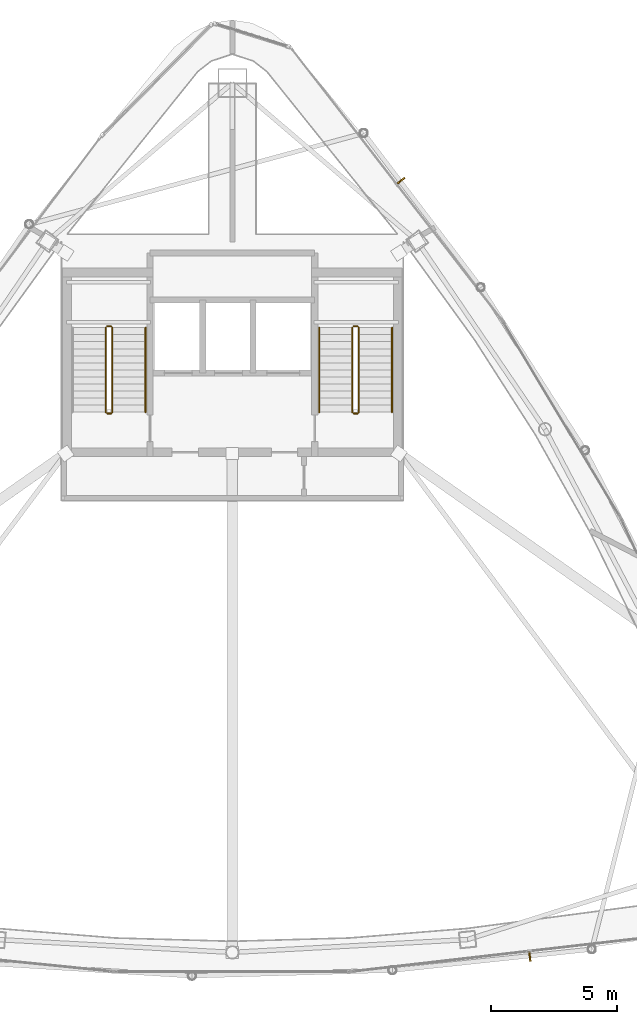
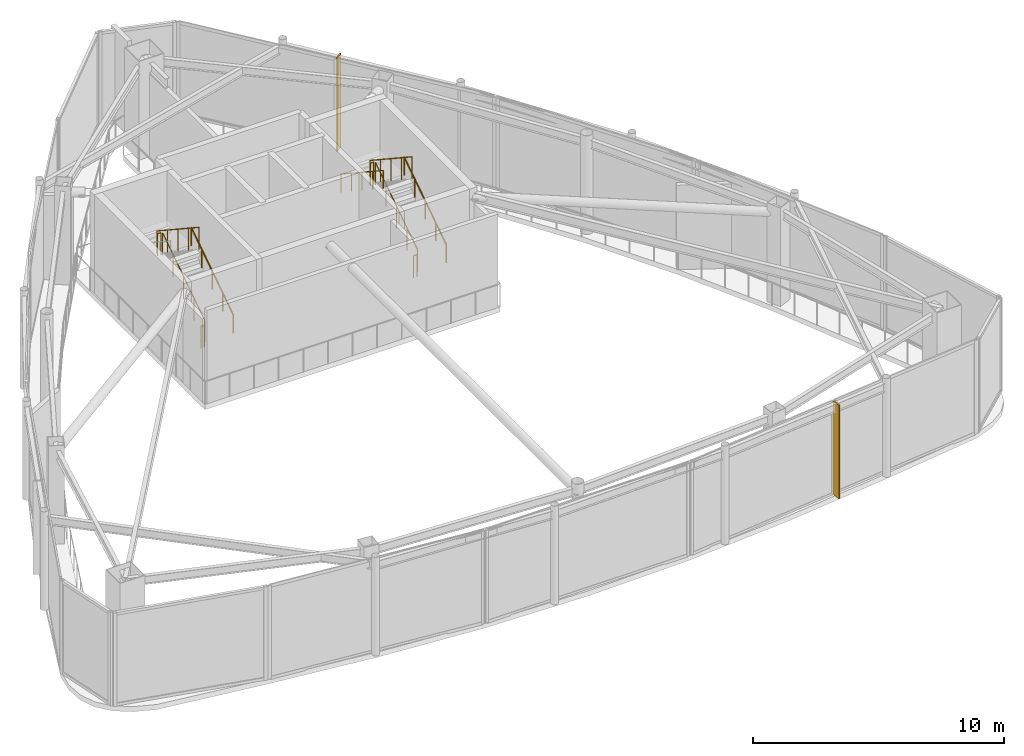
# One storey, part 19 of 20: 11 railings, 2 shading devices.
"""IFC4 building model written with IfcOpenShell, lengths in metres."""

import ifcopenshell
import ifcopenshell.guid

model = None  # the IFC model being written
_history = None  # IfcOwnerHistory: only IFC2X3 demands one
_inside = {}  # id of a spatial element -> (the spatial element, [elements in it])
_under = {}  # id of a project, library or spatial element -> (it, [spatial elements below it])
_declared = {}  # id of a project -> (the project, [libraries it declares])
_typed = {}  # id of a type object -> (the type object, [elements of that type])
_made_of = {}  # id of a material, layer set ... -> (it, [elements and type objects made of it])


def new_model(schema):
    """Start an empty IFC model of exactly this schema.

    Asked for "IFC4X3", IfcOpenShell would pick the latest addendum, in which some entities
    have other attributes; the version numbers below select the first issue.
    IFC2X3 requires an IfcOwnerHistory on every rooted entity: one is made here for all.
    """
    global model, _history
    if schema == "IFC4X3":
        model = ifcopenshell.file(schema_version=(4, 3, 0, 0))
    else:
        model = ifcopenshell.file(schema=schema)
    _inside.clear()
    _under.clear()
    _declared.clear()
    _typed.clear()
    _made_of.clear()
    _history = None
    if model.schema == "IFC2X3":
        org = make("IfcOrganization", Name="unknown")
        user = make(
            "IfcPersonAndOrganization",
            ThePerson=make("IfcPerson", FamilyName="unknown"),
            TheOrganization=org,
        )
        app = make(
            "IfcApplication",
            ApplicationDeveloper=org,
            Version="unknown",
            ApplicationFullName="unknown",
            ApplicationIdentifier="unknown",
        )
        _history = make(
            "IfcOwnerHistory",
            OwningUser=user,
            OwningApplication=app,
            ChangeAction="ADDED",
            CreationDate=0,
        )
    return model


def make(cls, **values):
    """One entity of the class cls with the attributes given. An attribute that is None is left unset."""
    return model.create_entity(
        cls, **{name: value for name, value in values.items() if value is not None}
    )


def rooted(cls, **values):
    """An entity with a GlobalId (a new one), such as an element, a storey or a relation."""
    return make(cls, GlobalId=ifcopenshell.guid.new(), OwnerHistory=_history, **values)


def si_unit(unit_type, name, prefix=None):
    """IfcSIUnit, for example si_unit("LENGTHUNIT", "METRE", prefix="MILLI")."""
    return make("IfcSIUnit", UnitType=unit_type, Prefix=prefix, Name=name)


def assignment(units):
    """IfcUnitAssignment: the units of a project."""
    return None if units is None else make("IfcUnitAssignment", Units=units)


def point(xyz):
    """IfcCartesianPoint."""
    return None if xyz is None else make("IfcCartesianPoint", Coordinates=xyz)


def direction(xyz):
    """IfcDirection."""
    return None if xyz is None else make("IfcDirection", DirectionRatios=xyz)


def frame(location, z_axis=None, x_axis=None):
    """IfcAxis2Placement3D, a coordinate frame: its origin and axes. An axis left out is left unset."""
    return make(
        "IfcAxis2Placement3D",
        Location=point(location),
        Axis=direction(z_axis),
        RefDirection=direction(x_axis),
    )


def frame_2d(location, x_axis=None):
    """IfcAxis2Placement2D, a coordinate frame in the plane: its origin and x axis."""
    return make(
        "IfcAxis2Placement2D", Location=point(location), RefDirection=direction(x_axis)
    )


def origin():
    """The frame at (0, 0, 0) with its axes left unset."""
    return frame((0.0, 0.0, 0.0))


def origin_2d():
    """The frame at (0, 0) in the plane with its x axis left unset."""
    return frame_2d((0.0, 0.0))


def place(relative_to, where):
    """IfcLocalPlacement: puts the frame where relative to a parent placement (None: the world)."""
    return make(
        "IfcLocalPlacement", PlacementRelTo=relative_to, RelativePlacement=where
    )


def context(
    kind, dimensions, precision=None, world=None, true_north=None, identifier=None
):
    """IfcGeometricRepresentationContext, for example the 3D "Model" context."""
    return make(
        "IfcGeometricRepresentationContext",
        ContextIdentifier=identifier,
        ContextType=kind,
        CoordinateSpaceDimension=dimensions,
        Precision=precision,
        WorldCoordinateSystem=world,
        TrueNorth=true_north,
    )


def subcontext(parent, identifier, kind, view, scale=None):
    """IfcGeometricRepresentationSubContext, for example "Body" below "Model"."""
    return make(
        "IfcGeometricRepresentationSubContext",
        ContextIdentifier=identifier,
        ContextType=kind,
        ParentContext=parent,
        TargetScale=scale,
        TargetView=view,
    )


def project(units=None, contexts=None):
    """IfcProject with its units and contexts."""
    return rooted(
        "IfcProject",
        Name="project",
        RepresentationContexts=contexts,
        UnitsInContext=assignment(units),
    )


def spatial(cls, under=None, at=None, **own):
    """A site, building, storey or space (cls), placed at a placement, below another one or the project."""
    s = rooted(cls, ObjectPlacement=at, **own)
    if under is not None:
        _under.setdefault(under.id(), (under, []))[1].append(s)
    return s


def profile(cls, at=None, kind="AREA", **sizes):
    """A parametric profile (cls). Its sizes go by their IFC names, for example OverallWidth=200.0."""
    return make(cls, ProfileType=kind, Position=at, **sizes)


def rectangle(**sizes):
    """IfcRectangleProfileDef."""
    return profile("IfcRectangleProfileDef", **sizes)


def circle(**sizes):
    """IfcCircleProfileDef."""
    return profile("IfcCircleProfileDef", **sizes)


def extrude(swept, where, along, depth):
    """IfcExtrudedAreaSolid: the profile swept, set in the frame where, extruded along a direction by depth."""
    return make(
        "IfcExtrudedAreaSolid",
        SweptArea=swept,
        Position=where,
        ExtrudedDirection=direction(along),
        Depth=depth,
    )


def shape(context_of_items, identifier, shape_type, items):
    """IfcShapeRepresentation: the items that make up one representation, for example the "Body"."""
    return make(
        "IfcShapeRepresentation",
        ContextOfItems=context_of_items,
        RepresentationIdentifier=identifier,
        RepresentationType=shape_type,
        Items=items,
    )


def material(Name=None, Category=None):
    """IfcMaterial."""
    return make("IfcMaterial", Name=Name, Category=Category)


def layer(
    of_material, thickness, ventilated=None, Name=None, Category=None, Priority=None
):
    """IfcMaterialLayer: one layer of a wall or slab, of a material (None: an air gap)."""
    return make(
        "IfcMaterialLayer",
        Material=of_material,
        LayerThickness=thickness,
        IsVentilated=ventilated,
        Name=Name,
        Category=Category,
        Priority=Priority,
    )


def layer_set(layers, Name=None):
    """IfcMaterialLayerSet."""
    return make("IfcMaterialLayerSet", MaterialLayers=layers, LayerSetName=Name)


def made_of(thing, what):
    """Note that an element or type object is made of a material, layer set ...; save() writes the relation."""
    if what is not None:
        _made_of.setdefault(what.id(), (what, []))[1].append(thing)
    return thing


def type_object(cls, material=None, **own):
    """A type object (cls), such as IfcWallType, which elements share."""
    return made_of(rooted(cls, **own), material)


def element(
    cls,
    number,
    at=None,
    inside=None,
    cuts=None,
    type_object=None,
    material=None,
    context=None,
    identifier="Body",
    shape_type=None,
    held_by="IfcProductDefinitionShape",
    body=None,
    shapes=None,
    **own,
):
    """One element of the class cls, such as IfcWall. Its Tag is "e" and its number.

    at: its placement. inside: the storey or other place that contains it. cuts: it is an
    opening in that element (IfcRelVoidsElement). A single representation is given by context,
    identifier, shape_type and body (its items); several are given by shapes. held_by: the class
    of the entity that holds the representations. save() writes the other relations.
    """
    e = rooted(cls, Tag="e%d" % number, ObjectPlacement=at, **own)
    if body is not None:
        shapes = [shape(context, identifier, shape_type, body)]
    if shapes is not None:
        e.Representation = make(held_by, Representations=shapes)
    if inside is not None:
        _inside.setdefault(inside.id(), (inside, []))[1].append(e)
    if cuts is not None:
        rooted(
            "IfcRelVoidsElement", RelatingBuildingElement=cuts, RelatedOpeningElement=e
        )
    if type_object is not None:
        _typed.setdefault(type_object.id(), (type_object, []))[1].append(e)
    return made_of(e, material)


def aggregate(whole, parts):
    """IfcRelAggregates: a whole, such as a stair, and the parts it consists of."""
    return rooted("IfcRelAggregates", RelatingObject=whole, RelatedObjects=parts)


def save(model, path):
    """Write the relations noted so far, then the file.

    IfcRelAggregates (storeys below a building ...), IfcRelContainedInSpatialStructure (elements
    in a storey), IfcRelDefinesByType, IfcRelAssociatesMaterial and IfcRelDeclares: one each for
    every whole, place, type object, material and project.
    """
    for whole, parts in _under.values():
        aggregate(whole, parts)
    for where, things in _inside.values():
        rooted(
            "IfcRelContainedInSpatialStructure",
            RelatedElements=things,
            RelatingStructure=where,
        )
    for kind, things in _typed.values():
        rooted("IfcRelDefinesByType", RelatedObjects=things, RelatingType=kind)
    for what, things in _made_of.values():
        rooted("IfcRelAssociatesMaterial", RelatedObjects=things, RelatingMaterial=what)
    for by, libraries in _declared.values():
        rooted("IfcRelDeclares", RelatingContext=by, RelatedDefinitions=libraries)
    model.write(path)


model = new_model("IFC4")

# Units and contexts
model_context = context("Model", 3, precision=1e-05, world=origin(), true_north=direction((0.0, 1.0)))
body_context = subcontext(model_context, "Body", "Model", "MODEL_VIEW")
ifc_project = project(units=[si_unit("LENGTHUNIT", "METRE"), si_unit("AREAUNIT", "SQUARE_METRE"), si_unit("VOLUMEUNIT", "CUBIC_METRE"), si_unit("PLANEANGLEUNIT", "RADIAN"), si_unit("MASSUNIT", "GRAM", prefix="KILO")], contexts=[model_context])

# Site, building, storey
site_placement = place(None, origin())
site = spatial("IfcSite", under=ifc_project, at=site_placement, CompositionType="ELEMENT")
building_placement = place(site_placement, origin())
building = spatial("IfcBuilding", under=site, at=building_placement, Name="Orvanel Arch Residences", CompositionType="ELEMENT")
storey_placement = place(building_placement, frame((0.0, 0.0, 305.300048828125)))
storey = spatial("IfcBuildingStorey", under=building, at=storey_placement, Name="L85", CompositionType="ELEMENT", Elevation=305.300048828125)

# Shading devices
ifc_material_1 = material(Name="Bronze-anodised aluminium AA6063-T6", Category="aluminium")
ifc_layer = layer(ifc_material_1, 0.06005859375)
ifc_layer_set = layer_set([ifc_layer], Name="Bronze-anodised aluminium AA6063-T6")
shading_device_type = type_object("IfcShadingDeviceType", Name="FIN-BRZ-380", PredefinedType="USERDEFINED", material=ifc_layer_set)
for number, where, z_axis, x_axis, name in (
    (1, (44.826904296875, 6.674072265625, 0.0), (0.0, 0.0, 1.0), (0.114937150493, -0.9933727656, 0.0), "L85 Anodised Bronze Mullion FIN 01"),
    (2, (39.702880859375, 37.51904296875, 0.0), (0.0, 0.0, 1.0), (0.790155012376, 0.612907053653, 0.0), "L85 Anodised Bronze Mullion FIN 01"),
):
    element("IfcShadingDevice", number, at=place(storey_placement, frame(where, z_axis=z_axis, x_axis=x_axis)), inside=storey, type_object=shading_device_type, Name=name, ObjectType="FIN", PredefinedType="USERDEFINED", context=body_context, shape_type="SweptSolid", body=[
        extrude(rectangle(XDim=0.3798828125, YDim=0.06005859375, at=origin_2d()), origin(), (0.0, 0.0, 1.0), 4.550048828125),
    ])

# Railings
ifc_material_2 = material(Name="Structural steel AS/NZS 1163 C350L0 (Grade 350)", Category="steel")
railing_type_1 = type_object("IfcRailingType", Name="RL-STAIR-GUARD", PredefinedType="GUARDRAIL", material=ifc_material_2)
railing_1_placement = place(storey_placement, frame((28.22998046875, 28.320068359375, 0.1845703125)))
element("IfcRailing", 3, at=railing_1_placement, inside=storey, type_object=railing_type_1, Name="L85 ST-1 stair guard 1", PredefinedType="GUARDRAIL", context=body_context, shape_type="SweptSolid", body=[
    extrude(circle(Radius=0.02392578125, at=origin_2d()), frame((0.0, 0.001220703125, 1.076904296875), z_axis=(0.0, 0.834858096282, 0.550465220583), x_axis=(-1.0, 0.0, 0.0)), (0.0, 0.0, 1.0), 4.021484375),
    extrude(circle(Radius=0.02099609375, at=origin_2d()), origin(), (0.0, 0.0, 1.0), 1.050048828125),
    extrude(circle(Radius=0.02099609375, at=origin_2d()), frame((0.0, 0.83984375, 0.5537109375)), (0.0, 0.0, 1.0), 1.050048828125),
    extrude(circle(Radius=0.02099609375, at=origin_2d()), frame((0.0, 1.679931640625, 1.107666015625)), (0.0, 0.0, 1.0), 1.050048828125),
    extrude(circle(Radius=0.02099609375, at=origin_2d()), frame((0.0, 2.52001953125, 1.66162109375)), (0.0, 0.0, 1.0), 1.050048828125),
    extrude(circle(Radius=0.02099609375, at=origin_2d()), frame((0.0, 3.35986328125, 2.21533203125)), (0.0, 0.0, 1.0), 1.050048828125),
])
railing_2_placement = place(storey_placement, frame((28.179931640625, 31.72998046875, 2.39990234375)))
element("IfcRailing", 4, at=railing_2_placement, inside=storey, type_object=railing_type_1, Name="L85 ST-1 stair guard 2", PredefinedType="GUARDRAIL", context=body_context, shape_type="SweptSolid", body=[
    extrude(circle(Radius=0.02392578125, at=origin_2d()), frame((-0.00146484375, 0.0, 1.076171875), z_axis=(-1.0, 0.0, 0.0), x_axis=(0.0, -1.0, 0.0)), (0.0, 0.0, 1.0), 0.156982421875),
    extrude(circle(Radius=0.02099609375, at=origin_2d()), origin(), (0.0, 0.0, 1.0), 1.050048828125),
    extrude(circle(Radius=0.02099609375, at=origin_2d()), frame((-0.159912109375, 0.0, 0.0)), (0.0, 0.0, 1.0), 1.050048828125),
])
railing_3_placement = place(storey_placement, frame((27.969970703125, 31.679931640625, 2.58447265625)))
element("IfcRailing", 5, at=railing_3_placement, inside=storey, type_object=railing_type_1, Name="L85 ST-1 stair guard 3", PredefinedType="GUARDRAIL", context=body_context, shape_type="SweptSolid", body=[
    extrude(circle(Radius=0.02392578125, at=origin_2d()), frame((0.0, -0.001220703125, 1.076904296875), z_axis=(0.0, -0.83483021737, 0.550507500554), x_axis=(1.0, 0.0, 0.0)), (0.0, 0.0, 1.0), 4.021728515625),
    extrude(circle(Radius=0.02099609375, at=origin_2d()), origin(), (0.0, 0.0, 1.0), 1.050048828125),
    extrude(circle(Radius=0.02099609375, at=origin_2d()), frame((0.0, -0.83984375, 0.553955078125)), (0.0, 0.0, 1.0), 1.050048828125),
    extrude(circle(Radius=0.02099609375, at=origin_2d()), frame((0.0, -1.679931640625, 1.10791015625)), (0.0, 0.0, 1.0), 1.050048828125),
    extrude(circle(Radius=0.02099609375, at=origin_2d()), frame((0.0, -2.52001953125, 1.66162109375)), (0.0, 0.0, 1.0), 1.050048828125),
    extrude(circle(Radius=0.02099609375, at=origin_2d()), frame((0.0, -3.35986328125, 2.215576171875)), (0.0, 0.0, 1.0), 1.050048828125),
])
railing_4_placement = place(storey_placement, frame((28.179931640625, 28.27001953125, 0.0)))
element("IfcRailing", 6, at=railing_4_placement, inside=storey, type_object=railing_type_1, Name="L85 ST-1 stair guard 4", PredefinedType="GUARDRAIL", context=body_context, shape_type="SweptSolid", body=[
    extrude(circle(Radius=0.02392578125, at=origin_2d()), frame((-0.00146484375, 0.0, 1.076171875), z_axis=(-1.0, 0.0, 0.0), x_axis=(0.0, -1.0, 0.0)), (0.0, 0.0, 1.0), 0.156982421875),
    extrude(circle(Radius=0.02099609375, at=origin_2d()), origin(), (0.0, 0.0, 1.0), 1.050048828125),
    extrude(circle(Radius=0.02099609375, at=origin_2d()), frame((-0.159912109375, 0.0, 0.0)), (0.0, 0.0, 1.0), 1.050048828125),
])
railing_5_placement = place(storey_placement, frame((38.030029296875, 28.320068359375, 0.1845703125)))
element("IfcRailing", 7, at=railing_5_placement, inside=storey, type_object=railing_type_1, Name="L85 ST-2 stair guard 1", PredefinedType="GUARDRAIL", context=body_context, shape_type="SweptSolid", body=[
    extrude(circle(Radius=0.02392578125, at=origin_2d()), frame((0.0, 0.001220703125, 1.076904296875), z_axis=(0.0, 0.834858096282, 0.550465220583), x_axis=(-1.0, 0.0, 0.0)), (0.0, 0.0, 1.0), 4.021484375),
    extrude(circle(Radius=0.02099609375, at=origin_2d()), origin(), (0.0, 0.0, 1.0), 1.050048828125),
    extrude(circle(Radius=0.02099609375, at=origin_2d()), frame((0.0, 0.83984375, 0.5537109375)), (0.0, 0.0, 1.0), 1.050048828125),
    extrude(circle(Radius=0.02099609375, at=origin_2d()), frame((0.0, 1.679931640625, 1.107666015625)), (0.0, 0.0, 1.0), 1.050048828125),
    extrude(circle(Radius=0.02099609375, at=origin_2d()), frame((0.0, 2.52001953125, 1.66162109375)), (0.0, 0.0, 1.0), 1.050048828125),
    extrude(circle(Radius=0.02099609375, at=origin_2d()), frame((0.0, 3.35986328125, 2.21533203125)), (0.0, 0.0, 1.0), 1.050048828125),
])
railing_6_placement = place(storey_placement, frame((37.97998046875, 31.72998046875, 2.39990234375)))
element("IfcRailing", 8, at=railing_6_placement, inside=storey, type_object=railing_type_1, Name="L85 ST-2 stair guard 2", PredefinedType="GUARDRAIL", context=body_context, shape_type="SweptSolid", body=[
    extrude(circle(Radius=0.02392578125, at=origin_2d()), frame((-0.00146484375, 0.0, 1.076171875), z_axis=(-1.0, 0.0, 0.0), x_axis=(0.0, -1.0, 0.0)), (0.0, 0.0, 1.0), 0.156982421875),
    extrude(circle(Radius=0.02099609375, at=origin_2d()), origin(), (0.0, 0.0, 1.0), 1.050048828125),
    extrude(circle(Radius=0.02099609375, at=origin_2d()), frame((-0.159912109375, 0.0, 0.0)), (0.0, 0.0, 1.0), 1.050048828125),
])
railing_7_placement = place(storey_placement, frame((37.77001953125, 31.679931640625, 2.58447265625)))
element("IfcRailing", 9, at=railing_7_placement, inside=storey, type_object=railing_type_1, Name="L85 ST-2 stair guard 3", PredefinedType="GUARDRAIL", context=body_context, shape_type="SweptSolid", body=[
    extrude(circle(Radius=0.02392578125, at=origin_2d()), frame((0.0, -0.001220703125, 1.076904296875), z_axis=(0.0, -0.83483021737, 0.550507500554), x_axis=(1.0, 0.0, 0.0)), (0.0, 0.0, 1.0), 4.021728515625),
    extrude(circle(Radius=0.02099609375, at=origin_2d()), origin(), (0.0, 0.0, 1.0), 1.050048828125),
    extrude(circle(Radius=0.02099609375, at=origin_2d()), frame((0.0, -0.83984375, 0.553955078125)), (0.0, 0.0, 1.0), 1.050048828125),
    extrude(circle(Radius=0.02099609375, at=origin_2d()), frame((0.0, -1.679931640625, 1.10791015625)), (0.0, 0.0, 1.0), 1.050048828125),
    extrude(circle(Radius=0.02099609375, at=origin_2d()), frame((0.0, -2.52001953125, 1.66162109375)), (0.0, 0.0, 1.0), 1.050048828125),
    extrude(circle(Radius=0.02099609375, at=origin_2d()), frame((0.0, -3.35986328125, 2.215576171875)), (0.0, 0.0, 1.0), 1.050048828125),
])
railing_8_placement = place(storey_placement, frame((37.97998046875, 28.27001953125, 0.0)))
element("IfcRailing", 10, at=railing_8_placement, inside=storey, type_object=railing_type_1, Name="L85 ST-2 stair guard 4", PredefinedType="GUARDRAIL", context=body_context, shape_type="SweptSolid", body=[
    extrude(circle(Radius=0.02392578125, at=origin_2d()), frame((-0.00146484375, 0.0, 1.076171875), z_axis=(-1.0, 0.0, 0.0), x_axis=(0.0, -1.0, 0.0)), (0.0, 0.0, 1.0), 0.156982421875),
    extrude(circle(Radius=0.02099609375, at=origin_2d()), origin(), (0.0, 0.0, 1.0), 1.050048828125),
    extrude(circle(Radius=0.02099609375, at=origin_2d()), frame((-0.159912109375, 0.0, 0.0)), (0.0, 0.0, 1.0), 1.050048828125),
])
railing_type_2 = type_object("IfcRailingType", Name="RL-STAIR-HAND", PredefinedType="HANDRAIL", material=ifc_material_2)
for number, where, name in (
    (11, (29.550048828125, 28.320068359375, 0.1845703125), "L85 ST-1 stair handrail 1"),
    (12, (39.35009765625, 28.320068359375, 0.1845703125), "L85 ST-2 stair handrail 1"),
):
    element("IfcRailing", number, at=place(storey_placement, frame(where)), inside=storey, type_object=railing_type_2, Name=name, PredefinedType="HANDRAIL", context=body_context, shape_type="SweptSolid", body=[
        extrude(circle(Radius=0.02392578125, at=origin_2d()), frame((0.0, 0.001220703125, 0.876708984375), z_axis=(0.0, 0.834858096282, 0.550465220583), x_axis=(-1.0, 0.0, 0.0)), (0.0, 0.0, 1.0), 4.021484375),
        extrude(circle(Radius=0.02099609375, at=origin_2d()), origin(), (0.0, 0.0, 1.0), 0.849853515625),
        extrude(circle(Radius=0.02099609375, at=origin_2d()), frame((0.0, 0.83984375, 0.5537109375)), (0.0, 0.0, 1.0), 0.849853515625),
        extrude(circle(Radius=0.02099609375, at=origin_2d()), frame((0.0, 1.679931640625, 1.107666015625)), (0.0, 0.0, 1.0), 0.849853515625),
        extrude(circle(Radius=0.02099609375, at=origin_2d()), frame((0.0, 2.52001953125, 1.66162109375)), (0.0, 0.0, 1.0), 0.849853515625),
        extrude(circle(Radius=0.02099609375, at=origin_2d()), frame((0.0, 3.35986328125, 2.21533203125)), (0.0, 0.0, 1.0), 0.849853515625),
    ])
railing_9_placement = place(storey_placement, frame((36.449951171875, 31.679931640625, 2.58447265625)))
element("IfcRailing", 13, at=railing_9_placement, inside=storey, type_object=railing_type_2, Name="L85 ST-2 stair handrail 2", PredefinedType="HANDRAIL", context=body_context, shape_type="SweptSolid", body=[
    extrude(circle(Radius=0.02392578125, at=origin_2d()), frame((0.0, -0.001220703125, 0.876708984375), z_axis=(0.0, -0.83483021737, 0.550507500554), x_axis=(1.0, 0.0, 0.0)), (0.0, 0.0, 1.0), 4.021728515625),
    extrude(circle(Radius=0.02099609375, at=origin_2d()), origin(), (0.0, 0.0, 1.0), 0.849853515625),
    extrude(circle(Radius=0.02099609375, at=origin_2d()), frame((0.0, -0.83984375, 0.553955078125)), (0.0, 0.0, 1.0), 0.849853515625),
    extrude(circle(Radius=0.02099609375, at=origin_2d()), frame((0.0, -1.679931640625, 1.10791015625)), (0.0, 0.0, 1.0), 0.849853515625),
    extrude(circle(Radius=0.02099609375, at=origin_2d()), frame((0.0, -2.52001953125, 1.66162109375)), (0.0, 0.0, 1.0), 0.849853515625),
    extrude(circle(Radius=0.02099609375, at=origin_2d()), frame((0.0, -3.35986328125, 2.215576171875)), (0.0, 0.0, 1.0), 0.849853515625),
])

save(model, "model.ifc")
